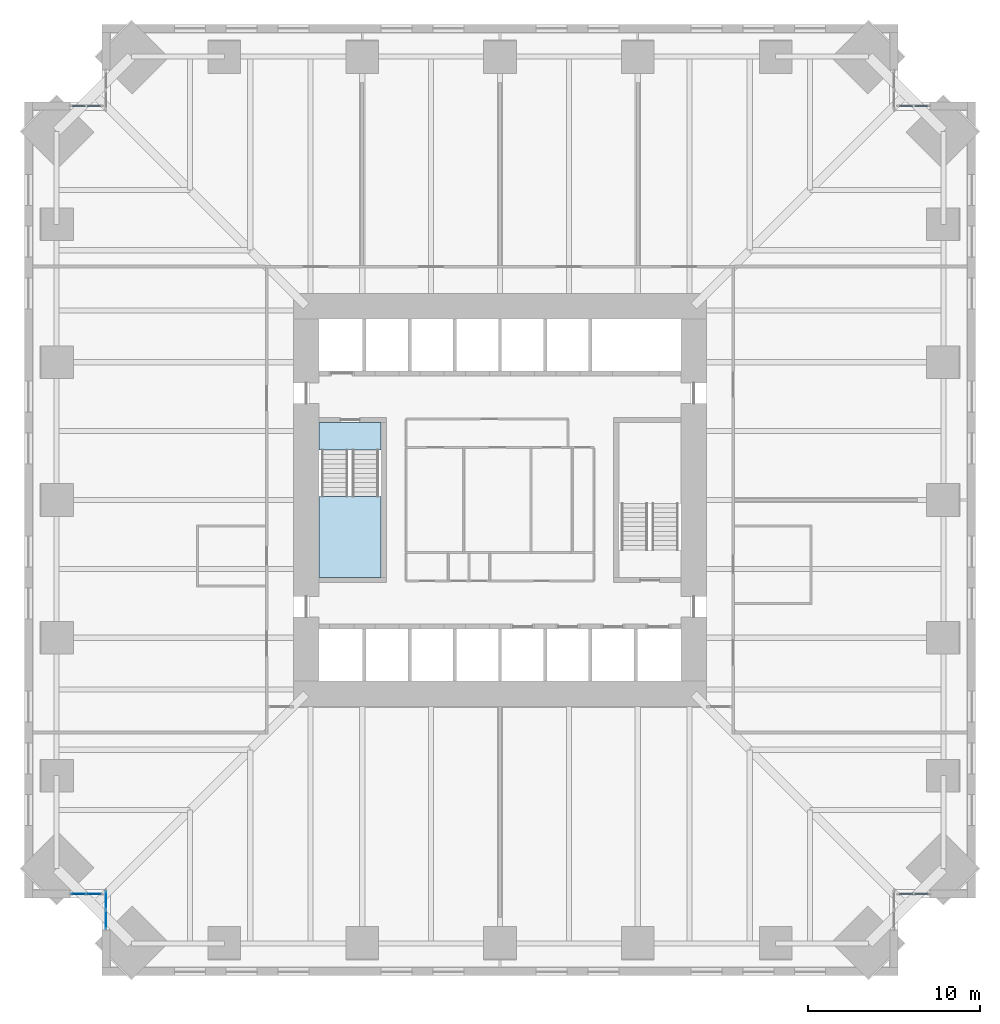
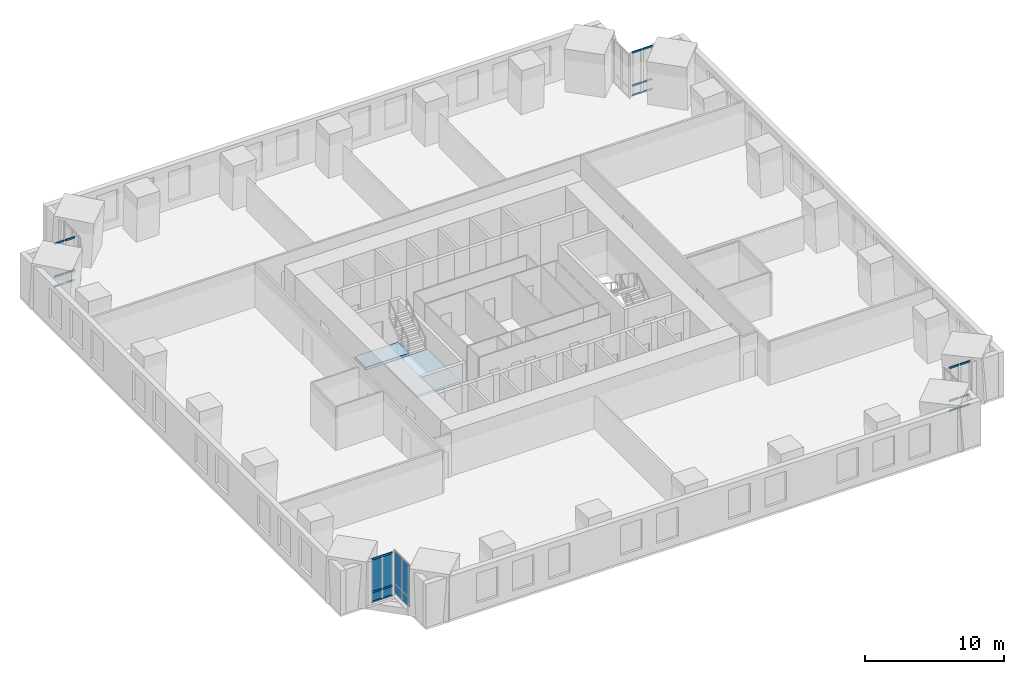
# One storey, part 9 of 16: 24 members, 8 plates, 2 slabs, 6 elements without a shape of their own.
"""IFC4 building model written with IfcOpenShell, lengths in metres."""

from ifc_helpers import new_model, si_unit, direction, frame, origin, origin_2d, place, context, subcontext, project, spatial, polyline, rectangle, hollow_rectangle, outline, extrude, material, layer, layer_set, material_profile, profile_set, type_object, element, aggregate, save


model = new_model("IFC4")

# Units and contexts
model_context = context("Model", 3, precision=1e-05, world=origin(), true_north=direction((0.0, 1.0)))
body_context = subcontext(model_context, "Body", "Model", "MODEL_VIEW")
ifc_project = project(units=[si_unit("LENGTHUNIT", "METRE"), si_unit("AREAUNIT", "SQUARE_METRE"), si_unit("VOLUMEUNIT", "CUBIC_METRE"), si_unit("PLANEANGLEUNIT", "RADIAN"), si_unit("MASSUNIT", "GRAM", prefix="KILO")], contexts=[model_context])

# Site, building, storey
site_placement = place(None, origin())
site = spatial("IfcSite", under=ifc_project, at=site_placement, CompositionType="ELEMENT")
building_placement = place(site_placement, origin())
building = spatial("IfcBuilding", under=site, at=building_placement, Name="Peilmerk Tower", CompositionType="ELEMENT")
storey_placement = place(building_placement, frame((0.0, 0.0, 127.800048828125)))
storey = spatial("IfcBuildingStorey", under=building, at=storey_placement, Name="L25", CompositionType="ELEMENT", Elevation=127.800048828125)

# Curtain wall, members
ifc_material_1 = material(Name="Aluminium stick curtain wall", Category="aluminium")
curtain_wall_type = type_object("IfcCurtainWallType", Name="CW3 stick curtain wall, 2250 module", PredefinedType="NOTDEFINED", material=ifc_material_1)
curtain_wall_1_placement = place(storey_placement, origin())
curtain_wall_1 = element("IfcCurtainWall", 1, at=curtain_wall_1_placement, inside=storey, type_object=curtain_wall_type, Name="Curtain wall CW3 NEB L25", PredefinedType="NOTDEFINED")
ifc_material_2 = material(Name="Aluminium EN AW-6063 T6", Category="aluminium")
ifc_material_profile = material_profile(ifc_material_2, hollow_rectangle(XDim=0.06494140625, YDim=0.14990234375, WallThickness=0.0029296875, at=origin_2d()), Name="AL 150x65x3")
ifc_profile_set = profile_set([ifc_material_profile], Name="Aluminium EN AW-6063 T6")
member_type = type_object("IfcMemberType", Name="CW3-T AL 150x65x3 transom", PredefinedType="USERDEFINED", material=ifc_profile_set)
member_1_placement = place(storey_placement, frame((23.1650390625, 22.875, 0.032470703125), z_axis=(1.0, 0.0, 0.0), x_axis=(0.0, 1.0, 0.0)))
member_1 = element("IfcMember", 2, at=member_1_placement, type_object=member_type, Name="CW3 transom 1.1", ObjectType="TRANSOM", PredefinedType="USERDEFINED", context=body_context, shape_type="SweptSolid", body=[
    extrude(hollow_rectangle(XDim=0.06494140625, YDim=0.14990234375, WallThickness=0.0029296875, at=origin_2d()), origin(), (0.0, 0.0, 1.0), 0.82177734375),
])
member_2_placement = place(storey_placement, frame((23.1650390625, 22.875, 0.89990234375), z_axis=(1.0, 0.0, 0.0), x_axis=(0.0, 1.0, 0.0)))
member_2 = element("IfcMember", 3, at=member_2_placement, type_object=member_type, Name="CW3 transom 1.2", ObjectType="TRANSOM", PredefinedType="USERDEFINED", context=body_context, shape_type="SweptSolid", body=[
    extrude(hollow_rectangle(XDim=0.06494140625, YDim=0.14990234375, WallThickness=0.0029296875, at=origin_2d()), origin(), (0.0, 0.0, 1.0), 0.82177734375),
])
member_3_placement = place(storey_placement, frame((23.1650390625, 22.875, 3.79736328125), z_axis=(1.0, 0.0, 0.0), x_axis=(0.0, 1.0, 0.0)))
member_3 = element("IfcMember", 4, at=member_3_placement, type_object=member_type, Name="CW3 transom 1.3", ObjectType="TRANSOM", PredefinedType="USERDEFINED", context=body_context, shape_type="SweptSolid", body=[
    extrude(hollow_rectangle(XDim=0.06494140625, YDim=0.14990234375, WallThickness=0.0029296875, at=origin_2d()), origin(), (0.0, 0.0, 1.0), 0.82177734375),
])
member_4_placement = place(storey_placement, frame((24.0517578125, 22.875, 0.032470703125), z_axis=(1.0, 0.0, 0.0), x_axis=(0.0, 1.0, 0.0)))
member_4 = element("IfcMember", 5, at=member_4_placement, type_object=member_type, Name="CW3 transom 2.1", ObjectType="TRANSOM", PredefinedType="USERDEFINED", context=body_context, shape_type="SweptSolid", body=[
    extrude(hollow_rectangle(XDim=0.06494140625, YDim=0.14990234375, WallThickness=0.0029296875, at=origin_2d()), origin(), (0.0, 0.0, 1.0), 0.822021484375),
])
member_5_placement = place(storey_placement, frame((24.0517578125, 22.875, 0.89990234375), z_axis=(1.0, 0.0, 0.0), x_axis=(0.0, 1.0, 0.0)))
member_5 = element("IfcMember", 6, at=member_5_placement, type_object=member_type, Name="CW3 transom 2.2", ObjectType="TRANSOM", PredefinedType="USERDEFINED", context=body_context, shape_type="SweptSolid", body=[
    extrude(hollow_rectangle(XDim=0.06494140625, YDim=0.14990234375, WallThickness=0.0029296875, at=origin_2d()), origin(), (0.0, 0.0, 1.0), 0.822021484375),
])
member_6_placement = place(storey_placement, frame((24.0517578125, 22.875, 3.79736328125), z_axis=(1.0, 0.0, 0.0), x_axis=(0.0, 1.0, 0.0)))
member_6 = element("IfcMember", 7, at=member_6_placement, type_object=member_type, Name="CW3 transom 2.3", ObjectType="TRANSOM", PredefinedType="USERDEFINED", context=body_context, shape_type="SweptSolid", body=[
    extrude(hollow_rectangle(XDim=0.06494140625, YDim=0.14990234375, WallThickness=0.0029296875, at=origin_2d()), origin(), (0.0, 0.0, 1.0), 0.822021484375),
])
aggregate(curtain_wall_1, [member_1, member_2, member_3, member_4, member_5, member_6])

curtain_wall_2_placement = place(storey_placement, origin())
curtain_wall_2 = element("IfcCurtainWall", 8, at=curtain_wall_2_placement, inside=storey, type_object=curtain_wall_type, Name="Curtain wall CW3 SEB L25", PredefinedType="NOTDEFINED")
member_7_placement = place(storey_placement, frame((23.1650390625, -22.875, 0.032470703125), z_axis=(1.0, 0.0, 0.0), x_axis=(0.0, 1.0, 0.0)))
member_7 = element("IfcMember", 9, at=member_7_placement, type_object=member_type, Name="CW3 transom 1.1", ObjectType="TRANSOM", PredefinedType="USERDEFINED", context=body_context, shape_type="SweptSolid", body=[
    extrude(hollow_rectangle(XDim=0.06494140625, YDim=0.14990234375, WallThickness=0.0029296875, at=origin_2d()), origin(), (0.0, 0.0, 1.0), 0.82177734375),
])
member_8_placement = place(storey_placement, frame((23.1650390625, -22.875, 0.89990234375), z_axis=(1.0, 0.0, 0.0), x_axis=(0.0, 1.0, 0.0)))
member_8 = element("IfcMember", 10, at=member_8_placement, type_object=member_type, Name="CW3 transom 1.2", ObjectType="TRANSOM", PredefinedType="USERDEFINED", context=body_context, shape_type="SweptSolid", body=[
    extrude(hollow_rectangle(XDim=0.06494140625, YDim=0.14990234375, WallThickness=0.0029296875, at=origin_2d()), origin(), (0.0, 0.0, 1.0), 0.82177734375),
])
member_9_placement = place(storey_placement, frame((23.1650390625, -22.875, 3.79736328125), z_axis=(1.0, 0.0, 0.0), x_axis=(0.0, 1.0, 0.0)))
member_9 = element("IfcMember", 11, at=member_9_placement, type_object=member_type, Name="CW3 transom 1.3", ObjectType="TRANSOM", PredefinedType="USERDEFINED", context=body_context, shape_type="SweptSolid", body=[
    extrude(hollow_rectangle(XDim=0.06494140625, YDim=0.14990234375, WallThickness=0.0029296875, at=origin_2d()), origin(), (0.0, 0.0, 1.0), 0.82177734375),
])
member_10_placement = place(storey_placement, frame((24.0517578125, -22.875, 0.032470703125), z_axis=(1.0, 0.0, 0.0), x_axis=(0.0, 1.0, 0.0)))
member_10 = element("IfcMember", 12, at=member_10_placement, type_object=member_type, Name="CW3 transom 2.1", ObjectType="TRANSOM", PredefinedType="USERDEFINED", context=body_context, shape_type="SweptSolid", body=[
    extrude(hollow_rectangle(XDim=0.06494140625, YDim=0.14990234375, WallThickness=0.0029296875, at=origin_2d()), origin(), (0.0, 0.0, 1.0), 0.822021484375),
])
member_11_placement = place(storey_placement, frame((24.0517578125, -22.875, 0.89990234375), z_axis=(1.0, 0.0, 0.0), x_axis=(0.0, 1.0, 0.0)))
member_11 = element("IfcMember", 13, at=member_11_placement, type_object=member_type, Name="CW3 transom 2.2", ObjectType="TRANSOM", PredefinedType="USERDEFINED", context=body_context, shape_type="SweptSolid", body=[
    extrude(hollow_rectangle(XDim=0.06494140625, YDim=0.14990234375, WallThickness=0.0029296875, at=origin_2d()), origin(), (0.0, 0.0, 1.0), 0.822021484375),
])
member_12_placement = place(storey_placement, frame((24.0517578125, -22.875, 3.79736328125), z_axis=(1.0, 0.0, 0.0), x_axis=(0.0, 1.0, 0.0)))
member_12 = element("IfcMember", 14, at=member_12_placement, type_object=member_type, Name="CW3 transom 2.3", ObjectType="TRANSOM", PredefinedType="USERDEFINED", context=body_context, shape_type="SweptSolid", body=[
    extrude(hollow_rectangle(XDim=0.06494140625, YDim=0.14990234375, WallThickness=0.0029296875, at=origin_2d()), origin(), (0.0, 0.0, 1.0), 0.822021484375),
])
aggregate(curtain_wall_2, [member_7, member_8, member_9, member_10, member_11, member_12])

curtain_wall_3_placement = place(storey_placement, origin())
curtain_wall_3 = element("IfcCurtainWall", 15, at=curtain_wall_3_placement, inside=storey, type_object=curtain_wall_type, Name="Curtain wall CW3 SWB L25", PredefinedType="NOTDEFINED")
member_13_placement = place(storey_placement, frame((-23.1650390625, -22.875, 0.032470703125), z_axis=(-1.0, 0.0, 0.0), x_axis=(0.0, -1.0, 0.0)))
member_13 = element("IfcMember", 16, at=member_13_placement, type_object=member_type, Name="CW3 transom 1.1", ObjectType="TRANSOM", PredefinedType="USERDEFINED", context=body_context, shape_type="SweptSolid", body=[
    extrude(hollow_rectangle(XDim=0.06494140625, YDim=0.14990234375, WallThickness=0.0029296875, at=origin_2d()), origin(), (0.0, 0.0, 1.0), 0.82177734375),
])
member_14_placement = place(storey_placement, frame((-23.1650390625, -22.875, 0.89990234375), z_axis=(-1.0, 0.0, 0.0), x_axis=(0.0, -1.0, 0.0)))
member_14 = element("IfcMember", 17, at=member_14_placement, type_object=member_type, Name="CW3 transom 1.2", ObjectType="TRANSOM", PredefinedType="USERDEFINED", context=body_context, shape_type="SweptSolid", body=[
    extrude(hollow_rectangle(XDim=0.06494140625, YDim=0.14990234375, WallThickness=0.0029296875, at=origin_2d()), origin(), (0.0, 0.0, 1.0), 0.82177734375),
])
member_15_placement = place(storey_placement, frame((-23.1650390625, -22.875, 3.79736328125), z_axis=(-1.0, 0.0, 0.0), x_axis=(0.0, -1.0, 0.0)))
member_15 = element("IfcMember", 18, at=member_15_placement, type_object=member_type, Name="CW3 transom 1.3", ObjectType="TRANSOM", PredefinedType="USERDEFINED", context=body_context, shape_type="SweptSolid", body=[
    extrude(hollow_rectangle(XDim=0.06494140625, YDim=0.14990234375, WallThickness=0.0029296875, at=origin_2d()), origin(), (0.0, 0.0, 1.0), 0.82177734375),
])
member_16_placement = place(storey_placement, frame((-24.0517578125, -22.875, 0.032470703125), z_axis=(-1.0, 0.0, 0.0), x_axis=(0.0, -1.0, 0.0)))
member_16 = element("IfcMember", 19, at=member_16_placement, type_object=member_type, Name="CW3 transom 2.1", ObjectType="TRANSOM", PredefinedType="USERDEFINED", context=body_context, shape_type="SweptSolid", body=[
    extrude(hollow_rectangle(XDim=0.06494140625, YDim=0.14990234375, WallThickness=0.0029296875, at=origin_2d()), origin(), (0.0, 0.0, 1.0), 0.822021484375),
])
member_17_placement = place(storey_placement, frame((-24.0517578125, -22.875, 0.89990234375), z_axis=(-1.0, 0.0, 0.0), x_axis=(0.0, -1.0, 0.0)))
member_17 = element("IfcMember", 20, at=member_17_placement, type_object=member_type, Name="CW3 transom 2.2", ObjectType="TRANSOM", PredefinedType="USERDEFINED", context=body_context, shape_type="SweptSolid", body=[
    extrude(hollow_rectangle(XDim=0.06494140625, YDim=0.14990234375, WallThickness=0.0029296875, at=origin_2d()), origin(), (0.0, 0.0, 1.0), 0.822021484375),
])
member_18_placement = place(storey_placement, frame((-24.0517578125, -22.875, 3.79736328125), z_axis=(-1.0, 0.0, 0.0), x_axis=(0.0, -1.0, 0.0)))
member_18 = element("IfcMember", 21, at=member_18_placement, type_object=member_type, Name="CW3 transom 2.3", ObjectType="TRANSOM", PredefinedType="USERDEFINED", context=body_context, shape_type="SweptSolid", body=[
    extrude(hollow_rectangle(XDim=0.06494140625, YDim=0.14990234375, WallThickness=0.0029296875, at=origin_2d()), origin(), (0.0, 0.0, 1.0), 0.822021484375),
])

curtain_wall_4_placement = place(storey_placement, origin())
curtain_wall_4 = element("IfcCurtainWall", 22, at=curtain_wall_4_placement, inside=storey, type_object=curtain_wall_type, Name="Curtain wall CW3 NWB L25", PredefinedType="NOTDEFINED")
member_19_placement = place(storey_placement, frame((-23.1650390625, 22.875, 0.032470703125), z_axis=(-1.0, 0.0, 0.0), x_axis=(0.0, -1.0, 0.0)))
member_19 = element("IfcMember", 23, at=member_19_placement, type_object=member_type, Name="CW3 transom 1.1", ObjectType="TRANSOM", PredefinedType="USERDEFINED", context=body_context, shape_type="SweptSolid", body=[
    extrude(hollow_rectangle(XDim=0.06494140625, YDim=0.14990234375, WallThickness=0.0029296875, at=origin_2d()), origin(), (0.0, 0.0, 1.0), 0.82177734375),
])
member_20_placement = place(storey_placement, frame((-23.1650390625, 22.875, 0.89990234375), z_axis=(-1.0, 0.0, 0.0), x_axis=(0.0, -1.0, 0.0)))
member_20 = element("IfcMember", 24, at=member_20_placement, type_object=member_type, Name="CW3 transom 1.2", ObjectType="TRANSOM", PredefinedType="USERDEFINED", context=body_context, shape_type="SweptSolid", body=[
    extrude(hollow_rectangle(XDim=0.06494140625, YDim=0.14990234375, WallThickness=0.0029296875, at=origin_2d()), origin(), (0.0, 0.0, 1.0), 0.82177734375),
])
member_21_placement = place(storey_placement, frame((-23.1650390625, 22.875, 3.79736328125), z_axis=(-1.0, 0.0, 0.0), x_axis=(0.0, -1.0, 0.0)))
member_21 = element("IfcMember", 25, at=member_21_placement, type_object=member_type, Name="CW3 transom 1.3", ObjectType="TRANSOM", PredefinedType="USERDEFINED", context=body_context, shape_type="SweptSolid", body=[
    extrude(hollow_rectangle(XDim=0.06494140625, YDim=0.14990234375, WallThickness=0.0029296875, at=origin_2d()), origin(), (0.0, 0.0, 1.0), 0.82177734375),
])
member_22_placement = place(storey_placement, frame((-24.0517578125, 22.875, 0.032470703125), z_axis=(-1.0, 0.0, 0.0), x_axis=(0.0, -1.0, 0.0)))
member_22 = element("IfcMember", 26, at=member_22_placement, type_object=member_type, Name="CW3 transom 2.1", ObjectType="TRANSOM", PredefinedType="USERDEFINED", context=body_context, shape_type="SweptSolid", body=[
    extrude(hollow_rectangle(XDim=0.06494140625, YDim=0.14990234375, WallThickness=0.0029296875, at=origin_2d()), origin(), (0.0, 0.0, 1.0), 0.822021484375),
])
member_23_placement = place(storey_placement, frame((-24.0517578125, 22.875, 0.89990234375), z_axis=(-1.0, 0.0, 0.0), x_axis=(0.0, -1.0, 0.0)))
member_23 = element("IfcMember", 27, at=member_23_placement, type_object=member_type, Name="CW3 transom 2.2", ObjectType="TRANSOM", PredefinedType="USERDEFINED", context=body_context, shape_type="SweptSolid", body=[
    extrude(hollow_rectangle(XDim=0.06494140625, YDim=0.14990234375, WallThickness=0.0029296875, at=origin_2d()), origin(), (0.0, 0.0, 1.0), 0.822021484375),
])
member_24_placement = place(storey_placement, frame((-24.0517578125, 22.875, 3.79736328125), z_axis=(-1.0, 0.0, 0.0), x_axis=(0.0, -1.0, 0.0)))
member_24 = element("IfcMember", 28, at=member_24_placement, type_object=member_type, Name="CW3 transom 2.3", ObjectType="TRANSOM", PredefinedType="USERDEFINED", context=body_context, shape_type="SweptSolid", body=[
    extrude(hollow_rectangle(XDim=0.06494140625, YDim=0.14990234375, WallThickness=0.0029296875, at=origin_2d()), origin(), (0.0, 0.0, 1.0), 0.822021484375),
])
aggregate(curtain_wall_4, [member_19, member_20, member_21, member_22, member_23, member_24])

# Curtain wall, plates
curtain_wall_5_placement = place(storey_placement, origin())
curtain_wall_5 = element("IfcCurtainWall", 29, at=curtain_wall_5_placement, inside=storey, type_object=curtain_wall_type, Name="Curtain wall CW3 SWA L25", PredefinedType="NOTDEFINED")
ifc_material_3 = material(Name="Clear insulated glazing unit", Category="glass")
ifc_layer_1 = layer(ifc_material_3, 0.028076171875)
ifc_layer_set_1 = layer_set([ifc_layer_1], Name="Clear insulated glazing unit")
plate_type = type_object("IfcPlateType", Name="CW3-P 28 glazed panel", PredefinedType="CURTAIN_PANEL", material=ifc_layer_set_1)
plate_1_placement = place(storey_placement, frame((-22.875, -23.238525390625, 0.06494140625), z_axis=(0.0, 0.0, 1.0), x_axis=(0.0, -1.0, 0.0)))
plate_1 = element("IfcPlate", 30, at=plate_1_placement, type_object=plate_type, Name="CW3 panel 1.1", PredefinedType="CURTAIN_PANEL", context=body_context, shape_type="SweptSolid", body=[
    extrude(rectangle(XDim=1.046875, YDim=0.028076171875, at=origin_2d()), origin(), (0.0, 0.0, 1.0), 0.802490234375),
])
plate_2_placement = place(storey_placement, frame((-22.875, -23.238525390625, 0.932373046875), z_axis=(0.0, 0.0, 1.0), x_axis=(0.0, -1.0, 0.0)))
plate_2 = element("IfcPlate", 31, at=plate_2_placement, type_object=plate_type, Name="CW3 panel 1.2", PredefinedType="CURTAIN_PANEL", context=body_context, shape_type="SweptSolid", body=[
    extrude(rectangle(XDim=1.046875, YDim=0.028076171875, at=origin_2d()), origin(), (0.0, 0.0, 1.0), 2.83251953125),
])
plate_3_placement = place(storey_placement, frame((-22.875, -24.350341796875, 0.06494140625), z_axis=(0.0, 0.0, 1.0), x_axis=(0.0, -1.0, 0.0)))
plate_3 = element("IfcPlate", 32, at=plate_3_placement, type_object=plate_type, Name="CW3 panel 2.1", PredefinedType="CURTAIN_PANEL", context=body_context, shape_type="SweptSolid", body=[
    extrude(rectangle(XDim=1.046875, YDim=0.028076171875, at=origin_2d()), origin(), (0.0, 0.0, 1.0), 0.802490234375),
])
plate_4_placement = place(storey_placement, frame((-22.875, -24.350341796875, 0.932373046875), z_axis=(0.0, 0.0, 1.0), x_axis=(0.0, -1.0, 0.0)))
plate_4 = element("IfcPlate", 33, at=plate_4_placement, type_object=plate_type, Name="CW3 panel 2.2", PredefinedType="CURTAIN_PANEL", context=body_context, shape_type="SweptSolid", body=[
    extrude(rectangle(XDim=1.046875, YDim=0.028076171875, at=origin_2d()), origin(), (0.0, 0.0, 1.0), 2.83251953125),
])
aggregate(curtain_wall_5, [plate_1, plate_2, plate_3, plate_4])

# Plate
plate_5_placement = place(storey_placement, frame((-23.575927734375, -22.875, 0.06494140625), z_axis=(0.0, 0.0, 1.0), x_axis=(-1.0, 0.0, 0.0)))
plate_5 = element("IfcPlate", 34, at=plate_5_placement, type_object=plate_type, Name="CW3 panel 1.1", PredefinedType="CURTAIN_PANEL", context=body_context, shape_type="SweptSolid", body=[
    extrude(rectangle(XDim=0.82177734375, YDim=0.028076171875, at=origin_2d()), origin(), (0.0, 0.0, 1.0), 0.802490234375),
])

plate_6_placement = place(storey_placement, frame((-23.575927734375, -22.875, 0.932373046875), z_axis=(0.0, 0.0, 1.0), x_axis=(-1.0, 0.0, 0.0)))
plate_6 = element("IfcPlate", 35, at=plate_6_placement, type_object=plate_type, Name="CW3 panel 1.2", PredefinedType="CURTAIN_PANEL", context=body_context, shape_type="SweptSolid", body=[
    extrude(rectangle(XDim=0.82177734375, YDim=0.028076171875, at=origin_2d()), origin(), (0.0, 0.0, 1.0), 2.83251953125),
])

plate_7_placement = place(storey_placement, frame((-24.462646484375, -22.875, 0.06494140625), z_axis=(0.0, 0.0, 1.0), x_axis=(-1.0, 0.0, 0.0)))
plate_7 = element("IfcPlate", 36, at=plate_7_placement, type_object=plate_type, Name="CW3 panel 2.1", PredefinedType="CURTAIN_PANEL", context=body_context, shape_type="SweptSolid", body=[
    extrude(rectangle(XDim=0.82177734375, YDim=0.028076171875, at=origin_2d()), origin(), (0.0, 0.0, 1.0), 0.802490234375),
])

plate_8_placement = place(storey_placement, frame((-24.462646484375, -22.875, 0.932373046875), z_axis=(0.0, 0.0, 1.0), x_axis=(-1.0, 0.0, 0.0)))
plate_8 = element("IfcPlate", 37, at=plate_8_placement, type_object=plate_type, Name="CW3 panel 2.2", PredefinedType="CURTAIN_PANEL", context=body_context, shape_type="SweptSolid", body=[
    extrude(rectangle(XDim=0.82177734375, YDim=0.028076171875, at=origin_2d()), origin(), (0.0, 0.0, 1.0), 2.83251953125),
])

aggregate(curtain_wall_3, [member_13, member_14, member_15, plate_5, plate_6, member_16, member_17, member_18, plate_7, plate_8])

# Stair, slabs
ifc_material_4 = material(Name="Precast concrete C45/55", Category="concrete")
stair_type = type_object("IfcStairType", Name="ST1 22 risers of 181.8", PredefinedType="HALF_TURN_STAIR", material=ifc_material_4)
stair_placement = place(storey_placement, origin())
stair = element("IfcStair", 38, at=stair_placement, inside=storey, type_object=stair_type, Name="Stair 1 L25 to L26", PredefinedType="HALF_TURN_STAIR")
ifc_material_5 = material(Name="Concrete C35/45", Category="concrete")
ifc_layer_2 = layer(ifc_material_5, 0.199951171875)
ifc_layer_set_2 = layer_set([ifc_layer_2], Name="Concrete C35/45")
slab_type_1 = type_object("IfcSlabType", Name="SL1 200 concrete stair landing", PredefinedType="LANDING", material=ifc_layer_set_2)
slab_1_placement = place(storey_placement, frame((0.0, 0.0, 1.800048828125)))
slab_1 = element("IfcSlab", 39, at=slab_1_placement, type_object=slab_type_1, Name="ST1 landing 1", PredefinedType="LANDING", context=body_context, shape_type="SweptSolid", body=[
    extrude(outline(polyline([(-10.5, -4.5), (-6.89990234375, -4.5), (-6.89990234375, 0.199951171875), (-10.5, 0.199951171875), (-10.5, -4.5)])), origin(), (0.0, 0.0, 1.0), 0.199951171875),
])
ifc_layer_3 = layer(ifc_material_5, 0.25)
ifc_layer_set_3 = layer_set([ifc_layer_3], Name="Concrete C35/45")
slab_type_2 = type_object("IfcSlabType", Name="SL2 250 concrete floor landing", PredefinedType="LANDING", material=ifc_layer_set_3)
slab_2_placement = place(storey_placement, frame((0.0, 0.0, -0.25)))
slab_2 = element("IfcSlab", 40, at=slab_2_placement, type_object=slab_type_2, Name="ST1 floor landing", PredefinedType="LANDING", context=body_context, shape_type="SweptSolid", body=[
    extrude(outline(polyline([(-10.5, 2.89990234375), (-6.89990234375, 2.89990234375), (-6.89990234375, 4.5), (-10.5, 4.5), (-10.5, 2.89990234375)])), origin(), (0.0, 0.0, 1.0), 0.25),
])
aggregate(stair, [slab_1, slab_2])

save(model, "model.ifc")
